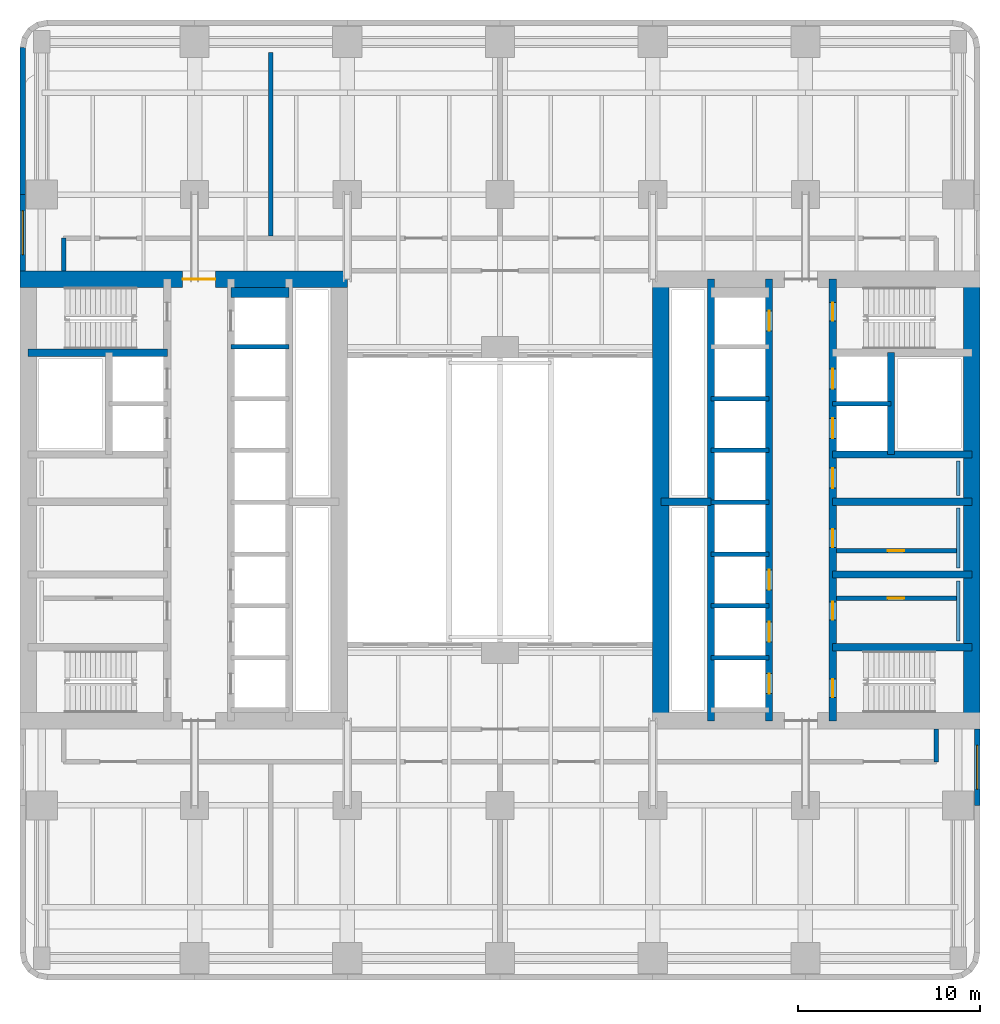
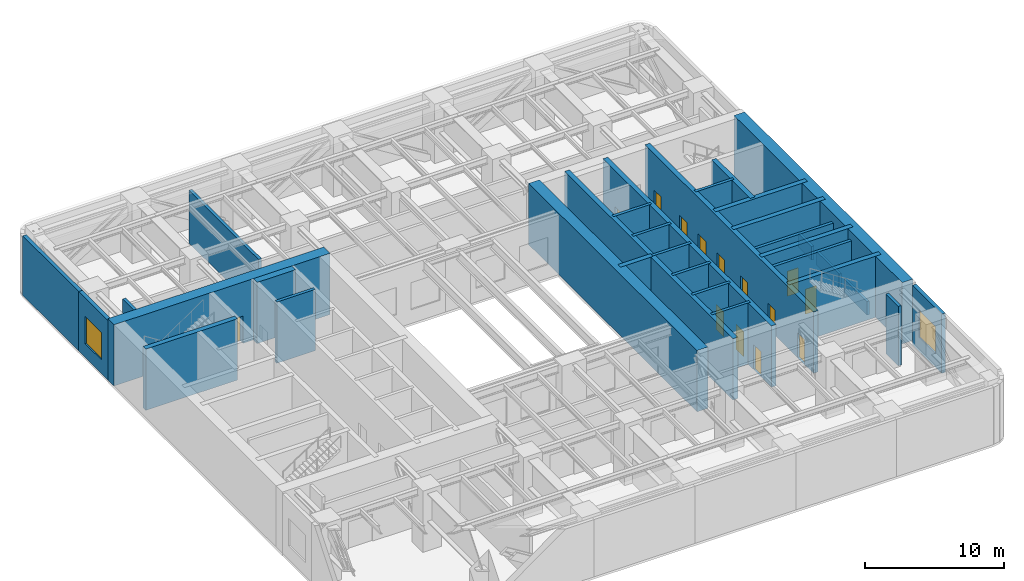
# One storey, part 5 of 11: 33 walls, 14 doors, 2 windows, 16 openings.
"""IFC4 building model written with IfcOpenShell, lengths in metres."""

from ifc_helpers import new_model, si_unit, direction, frame, frame_2d, origin, place, context, subcontext, project, spatial, rectangle, extrude, material, layer, layer_set, type_object, element, fill, save


model = new_model("IFC4")

# Units and contexts
model_context = context("Model", 3, precision=1e-05, world=origin(), true_north=direction((0.0, 1.0)))
body_context = subcontext(model_context, "Body", "Model", "MODEL_VIEW")
ifc_project = project(units=[si_unit("LENGTHUNIT", "METRE"), si_unit("AREAUNIT", "SQUARE_METRE"), si_unit("VOLUMEUNIT", "CUBIC_METRE"), si_unit("PLANEANGLEUNIT", "RADIAN"), si_unit("MASSUNIT", "GRAM", prefix="KILO")], contexts=[model_context])

# Site, building, storey
site_placement = place(None, origin())
site = spatial("IfcSite", under=ifc_project, at=site_placement, CompositionType="ELEMENT")
building_placement = place(site_placement, origin())
building = spatial("IfcBuilding", under=site, at=building_placement, Name="Claustro Exchange Tower", CompositionType="ELEMENT")
storey_placement = place(building_placement, frame((0.0, 0.0, 90.89990234375)))
storey = spatial("IfcBuildingStorey", under=building, at=storey_placement, Name="L20", CompositionType="ELEMENT", Elevation=90.89990234375)

# Walls
ifc_material_1 = material(Name="Concrete blockwork, rendered", Category="masonry")
ifc_layer_1 = layer(ifc_material_1, 0.25)
ifc_layer_set_1 = layer_set([ifc_layer_1], Name="Concrete blockwork, rendered")
wall_type_1 = type_object("IfcWallType", Name="P4 250 blockwork wall", PredefinedType="PARTITIONING", material=ifc_layer_set_1)
wall_1_placement = place(storey_placement, frame((49.199951171875, 10.800048828125, 0.0), z_axis=(0.0, 0.0, 1.0), x_axis=(0.0, 1.0, 0.0)))
element("IfcWall", 1, at=wall_1_placement, inside=storey, type_object=wall_type_1, Name="Partition P4 L20", PredefinedType="PARTITIONING", context=body_context, shape_type="SweptSolid", body=[
    extrude(rectangle(XDim=1.802001953125, YDim=0.25, at=frame_2d((0.90087890625, 0.0))), origin(), (0.0, 0.0, 1.0), 5.239990234375),
])
wall_2_placement = place(storey_placement, frame((1.199951171875, 37.800048828125, 0.0), z_axis=(0.0, 0.0, 1.0), x_axis=(0.0, 1.0, 0.0)))
element("IfcWall", 2, at=wall_2_placement, inside=storey, type_object=wall_type_1, Name="Partition P4 L20", PredefinedType="PARTITIONING", context=body_context, shape_type="SweptSolid", body=[
    extrude(rectangle(XDim=1.800048828125, YDim=0.25, at=frame_2d((0.89990234375, 0.0))), origin(), (0.0, 0.0, 1.0), 5.239990234375),
])
wall_3_placement = place(storey_placement, frame((12.60009765625, 39.72412109375, 0.0), z_axis=(0.0, 0.0, 1.0), x_axis=(0.0, 1.0, 0.0)))
element("IfcWall", 3, at=wall_3_placement, inside=storey, type_object=wall_type_1, Name="Partition P4 L20", PredefinedType="PARTITIONING", context=body_context, shape_type="SweptSolid", body=[
    extrude(rectangle(XDim=10.075927734375, YDim=0.25, at=frame_2d((5.0380859375, 0.0))), origin(), (0.0, 0.0, 1.0), 4.64013671875),
])

# Wall, opening, door
wall_4_placement = place(storey_placement, frame((43.699951171875, 22.39990234375, 0.0), z_axis=(0.0, 0.0, 1.0), x_axis=(1.0, 0.0, 0.0)))
wall_4 = element("IfcWall", 4, at=wall_4_placement, inside=storey, type_object=wall_type_1, Name="Partition P4 L20", PredefinedType="PARTITIONING", context=body_context, shape_type="SweptSolid", body=[
    extrude(rectangle(XDim=6.60009765625, YDim=0.25, at=frame_2d((3.300048828125, 0.0))), origin(), (0.0, 0.0, 1.0), 5.2001953125),
])
opening_1_placement = place(wall_4_placement, frame((2.824951171875, 0.0, 0.0)))
opening_1 = element("IfcOpeningElement", 5, at=opening_1_placement, cuts=wall_4, Name="Opening D5", PredefinedType="OPENING", context=body_context, shape_type="SweptSolid", body=[
    extrude(rectangle(XDim=0.89990234375, YDim=2.199951171875, at=frame_2d((0.449951171875, 1.10009765625))), frame((0.0, 0.135009765625, 0.0), z_axis=(0.0, -1.0, 0.0), x_axis=(1.0, 0.0, 0.0)), (0.0, 0.0, 1.0), 0.27001953125),
])
ifc_material_2 = material(Name="Steel door, painted", Category="steel")
door_type_1 = type_object("IfcDoorType", Name="D5 900 x 2200 store door", OperationType="SINGLE_SWING_LEFT", PredefinedType="DOOR", material=ifc_material_2)
door_1_placement = place(opening_1_placement, frame((0.89990234375, 0.0, 0.0), z_axis=(0.0, 0.0, 1.0), x_axis=(-1.0, 0.0, 0.0)))
door_1 = element("IfcDoor", 6, at=door_1_placement, inside=storey, type_object=door_type_1, Name="Store door D5 L20", OperationType="SINGLE_SWING_LEFT", OverallHeight=2.199951171875, OverallWidth=0.89990234375, PredefinedType="DOOR", context=body_context, shape_type="SweptSolid", body=[
    extrude(rectangle(XDim=0.89990234375, YDim=2.199951171875, at=frame_2d((0.449951171875, 1.10009765625))), frame((0.0, 0.02490234375, 0.0), z_axis=(0.0, -1.0, 0.0), x_axis=(1.0, 0.0, 0.0)), (0.0, 0.0, 1.0), 0.050048828125),
])
fill(opening_1, door_1)

wall_5_placement = place(storey_placement, frame((43.699951171875, 19.800048828125, 0.0), z_axis=(0.0, 0.0, 1.0), x_axis=(1.0, 0.0, 0.0)))
wall_5 = element("IfcWall", 7, at=wall_5_placement, inside=storey, type_object=wall_type_1, Name="Partition P4 L20", PredefinedType="PARTITIONING", context=body_context, shape_type="SweptSolid", body=[
    extrude(rectangle(XDim=6.60009765625, YDim=0.25, at=frame_2d((3.300048828125, 0.0))), origin(), (0.0, 0.0, 1.0), 5.2001953125),
])
opening_2_placement = place(wall_5_placement, frame((2.824951171875, 0.0, 0.0)))
opening_2 = element("IfcOpeningElement", 8, at=opening_2_placement, cuts=wall_5, Name="Opening D5", PredefinedType="OPENING", context=body_context, shape_type="SweptSolid", body=[
    extrude(rectangle(XDim=0.89990234375, YDim=2.199951171875, at=frame_2d((0.449951171875, 1.10009765625))), frame((0.0, 0.135009765625, 0.0), z_axis=(0.0, -1.0, 0.0), x_axis=(1.0, 0.0, 0.0)), (0.0, 0.0, 1.0), 0.27001953125),
])
door_2_placement = place(opening_2_placement, origin())
door_2 = element("IfcDoor", 9, at=door_2_placement, inside=storey, type_object=door_type_1, Name="Store door D5 L20", OperationType="SINGLE_SWING_RIGHT", OverallHeight=2.199951171875, OverallWidth=0.89990234375, PredefinedType="DOOR", context=body_context, shape_type="SweptSolid", body=[
    extrude(rectangle(XDim=0.89990234375, YDim=2.199951171875, at=frame_2d((0.449951171875, 1.10009765625))), frame((0.0, 0.02490234375, 0.0), z_axis=(0.0, -1.0, 0.0), x_axis=(1.0, 0.0, 0.0)), (0.0, 0.0, 1.0), 0.050048828125),
])
fill(opening_2, door_2)

# Wall, opening, window
ifc_material_3 = material(Name="Concrete HA-40 (C40/50), precast, white cement, acid-etched", Category="concrete")
ifc_layer_2 = layer(ifc_material_3, 0.300048828125)
ifc_layer_set_2 = layer_set([ifc_layer_2], Name="Concrete HA-40 (C40/50), precast, white cement, acid-etched")
wall_type_2 = type_object("IfcWallType", Name="PC1 300 precast concrete pier panel", PredefinedType="SOLIDWALL", material=ifc_layer_set_2)
wall_6_placement = place(storey_placement, frame((-1.050048828125, 37.800048828125, 0.0), z_axis=(0.0, 0.0, 1.0), x_axis=(0.0, 1.0, 0.0)))
wall_6 = element("IfcWall", 10, at=wall_6_placement, inside=storey, type_object=wall_type_2, Name="Precast pier panel PC1 L20", PredefinedType="SOLIDWALL", context=body_context, shape_type="SweptSolid", body=[
    extrude(rectangle(XDim=4.199951171875, YDim=0.300048828125, at=frame_2d((2.10009765625, 0.0))), origin(), (0.0, 0.0, 1.0), 5.239990234375),
])
opening_3_placement = place(wall_6_placement, frame((0.89990234375, 0.0, 1.199951171875)))
opening_3 = element("IfcOpeningElement", 11, at=opening_3_placement, cuts=wall_6, Name="Opening L2", PredefinedType="OPENING", context=body_context, shape_type="SweptSolid", body=[
    extrude(rectangle(XDim=2.39990234375, YDim=2.39990234375, at=frame_2d((1.199951171875, 1.199951171875))), frame((0.0, 0.159912109375, 0.0), z_axis=(0.0, -1.0, 0.0), x_axis=(1.0, 0.0, 0.0)), (0.0, 0.0, 1.0), 0.320068359375),
])
ifc_material_4 = material(Name="Aluminium louvre blades", Category="aluminium")
window_type = type_object("IfcWindowType", Name="L2 2400 x 2400 plant louvre", PartitioningType="SINGLE_PANEL", PredefinedType="USERDEFINED", material=ifc_material_4)
window_1_placement = place(opening_3_placement, origin())
window_1 = element("IfcWindow", 12, at=window_1_placement, inside=storey, type_object=window_type, Name="Plant louvre L2 L20", ObjectType="LOUVRE", OverallHeight=2.39990234375, OverallWidth=2.39990234375, PartitioningType="SINGLE_PANEL", PredefinedType="USERDEFINED", context=body_context, shape_type="SweptSolid", body=[
    extrude(rectangle(XDim=2.39990234375, YDim=2.39990234375, at=frame_2d((1.199951171875, 1.199951171875))), frame((0.0, 0.030029296875, 0.0), z_axis=(0.0, -1.0, 0.0), x_axis=(1.0, 0.0, 0.0)), (0.0, 0.0, 1.0), 0.06005859375),
])
fill(opening_3, window_1)

# Wall
wall_7_placement = place(storey_placement, frame((-1.050048828125, 42.0, 0.0), z_axis=(0.0, 0.0, 1.0), x_axis=(0.0, 1.0, 0.0)))
element("IfcWall", 13, at=wall_7_placement, inside=storey, type_object=wall_type_2, Name="Precast pier panel PC1 L20", PredefinedType="SOLIDWALL", context=body_context, shape_type="SweptSolid", body=[
    extrude(rectangle(XDim=8.085205078125, YDim=0.300048828125, at=frame_2d((4.04248046875, 0.0))), origin(), (0.0, 0.0, 1.0), 5.239990234375),
])

# Wall, opening, window
wall_8_placement = place(storey_placement, frame((51.449951171875, 12.60009765625, 0.0), z_axis=(0.0, 0.0, 1.0), x_axis=(0.0, -1.0, 0.0)))
wall_8 = element("IfcWall", 14, at=wall_8_placement, inside=storey, type_object=wall_type_2, Name="Precast pier panel PC1 L20", PredefinedType="SOLIDWALL", context=body_context, shape_type="SweptSolid", body=[
    extrude(rectangle(XDim=4.2001953125, YDim=0.300048828125, at=frame_2d((2.10009765625, 0.0))), origin(), (0.0, 0.0, 1.0), 5.239990234375),
])
opening_4_placement = place(wall_8_placement, frame((0.89990234375, 0.0, 1.199951171875)))
opening_4 = element("IfcOpeningElement", 15, at=opening_4_placement, cuts=wall_8, Name="Opening L2", PredefinedType="OPENING", context=body_context, shape_type="SweptSolid", body=[
    extrude(rectangle(XDim=2.39990234375, YDim=2.39990234375, at=frame_2d((1.199951171875, 1.199951171875))), frame((0.0, 0.159912109375, 0.0), z_axis=(0.0, -1.0, 0.0), x_axis=(1.0, 0.0, 0.0)), (0.0, 0.0, 1.0), 0.320068359375),
])
window_2_placement = place(opening_4_placement, origin())
window_2 = element("IfcWindow", 16, at=window_2_placement, inside=storey, type_object=window_type, Name="Plant louvre L2 L20", ObjectType="LOUVRE", OverallHeight=2.39990234375, OverallWidth=2.39990234375, PartitioningType="SINGLE_PANEL", PredefinedType="USERDEFINED", context=body_context, shape_type="SweptSolid", body=[
    extrude(rectangle(XDim=2.39990234375, YDim=2.39990234375, at=frame_2d((1.199951171875, 1.199951171875))), frame((0.0, 0.030029296875, 0.0), z_axis=(0.0, -1.0, 0.0), x_axis=(1.0, 0.0, 0.0)), (0.0, 0.0, 1.0), 0.06005859375),
])
fill(opening_4, window_2)

# Walls
ifc_material_5 = material(Name="Gypsum board on steel studs, tiled", Category="steel")
ifc_layer_3 = layer(ifc_material_5, 0.199951171875)
ifc_layer_set_3 = layer_set([ifc_layer_3], Name="Gypsum board on steel studs, tiled")
wall_type_3 = type_object("IfcWallType", Name="PW1 200 WC duct wall", PredefinedType="PLUMBINGWALL", material=ifc_layer_set_3)
for number, where, z_axis, x_axis, name in (
    (17, (50.39990234375, 17.449951171875, 0.0), (0.0, 0.0, 1.0), (0.0, 1.0, 0.0), "WC duct wall PW1 L20"),
    (18, (50.39990234375, 21.449951171875, 0.0), (0.0, 0.0, 1.0), (0.0, 1.0, 0.0), "WC duct wall PW1 L20"),
):
    element("IfcWall", number, at=place(storey_placement, frame(where, z_axis=z_axis, x_axis=x_axis)), inside=storey, type_object=wall_type_3, Name=name, PredefinedType="PLUMBINGWALL", context=body_context, shape_type="SweptSolid", body=[
        extrude(rectangle(XDim=3.300048828125, YDim=0.199951171875, at=frame_2d((1.64990234375, 0.0))), origin(), (0.0, 0.0, 1.0), 1.2001953125),
    ])
wall_9_placement = place(storey_placement, frame((50.39990234375, 25.449951171875, 0.0), z_axis=(0.0, 0.0, 1.0), x_axis=(0.0, 1.0, 0.0)))
element("IfcWall", 19, at=wall_9_placement, inside=storey, type_object=wall_type_3, Name="WC duct wall PW1 L20", PredefinedType="PLUMBINGWALL", context=body_context, shape_type="SweptSolid", body=[
    extrude(rectangle(XDim=1.900146484375, YDim=0.199951171875, at=frame_2d((0.9501953125, 0.0))), origin(), (0.0, 0.0, 1.0), 1.2001953125),
])

# Wall, opening, door
ifc_material_6 = material(Name="Concrete HA-70 (C70/85)", Category="concrete")
ifc_layer_4 = layer(ifc_material_6, 0.89990234375)
ifc_layer_set_4 = layer_set([ifc_layer_4], Name="Concrete HA-70 (C70/85)")
wall_type_4 = type_object("IfcWallType", Name="SW1 900 core shear wall", PredefinedType="SHEAR", material=ifc_layer_set_4)
wall_10_placement = place(storey_placement, frame((-1.199951171875, 37.35009765625, 0.0), z_axis=(0.0, 0.0, 1.0), x_axis=(1.0, 0.0, 0.0)))
wall_10 = element("IfcWall", 20, at=wall_10_placement, inside=storey, type_object=wall_type_4, Name="Core wall SW1 W core N face L20", PredefinedType="SHEAR", context=body_context, shape_type="SweptSolid", body=[
    extrude(rectangle(XDim=18.0, YDim=0.89990234375, at=frame_2d((9.0, 0.0))), origin(), (0.0, 0.0, 1.0), 5.400146484375),
])
opening_5_placement = place(wall_10_placement, frame((8.949951171875, 0.0, 0.0)))
opening_5 = element("IfcOpeningElement", 21, at=opening_5_placement, cuts=wall_10, Name="Opening D3", PredefinedType="OPENING", context=body_context, shape_type="SweptSolid", body=[
    extrude(rectangle(XDim=1.800048828125, YDim=2.39990234375, at=frame_2d((0.89990234375, 1.199951171875))), frame((0.0, 0.4599609375, 0.0), z_axis=(0.0, -1.0, 0.0), x_axis=(1.0, 0.0, 0.0)), (0.0, 0.0, 1.0), 0.919921875),
])
ifc_material_7 = material(Name="Steel fire door, painted", Category="steel")
door_type_2 = type_object("IfcDoorType", Name="D3 1800 x 2400 fire-rated lobby double door", OperationType="DOUBLE_DOOR_SINGLE_SWING", PredefinedType="DOOR", material=ifc_material_7)
door_3_placement = place(opening_5_placement, frame((1.800048828125, 0.0, 0.0), z_axis=(0.0, 0.0, 1.0), x_axis=(-1.0, 0.0, 0.0)))
door_3 = element("IfcDoor", 22, at=door_3_placement, inside=storey, type_object=door_type_2, Name="Lift lobby door D3 L20", OperationType="DOUBLE_DOOR_SINGLE_SWING", OverallHeight=2.39990234375, OverallWidth=1.800048828125, PredefinedType="DOOR", context=body_context, shape_type="SweptSolid", body=[
    extrude(rectangle(XDim=1.800048828125, YDim=2.39990234375, at=frame_2d((0.89990234375, 1.199951171875))), frame((0.0, 0.02490234375, 0.0), z_axis=(0.0, -1.0, 0.0), x_axis=(1.0, 0.0, 0.0)), (0.0, 0.0, 1.0), 0.050048828125),
])
fill(opening_5, door_3)

# Walls
ifc_material_8 = material(Name="Concrete HA-70 (C70/85)", Category="concrete")
ifc_layer_5 = layer(ifc_material_8, 0.89990234375)
ifc_layer_set_5 = layer_set([ifc_layer_5], Name="Concrete HA-70 (C70/85)")
wall_type_5 = type_object("IfcWallType", Name="SW1X 900 exposed core shear wall, board-marked face", PredefinedType="SHEAR", material=ifc_layer_set_5)
for number, where, z_axis, x_axis, name in (
    (23, (34.050048828125, 13.050048828125, 0.0), (0.0, 0.0, 1.0), (0.0, 1.0, 0.0), "Core wall SW1X E core W face L20"),
    (24, (51.14990234375, 13.050048828125, 0.0), (0.0, 0.0, 1.0), (0.0, 1.0, 0.0), "Core wall SW1X E core E face L20"),
):
    element("IfcWall", number, at=place(storey_placement, frame(where, z_axis=z_axis, x_axis=x_axis)), inside=storey, type_object=wall_type_5, Name=name, PredefinedType="SHEAR", context=body_context, shape_type="SweptSolid", body=[
        extrude(rectangle(XDim=24.300048828125, YDim=0.89990234375, at=frame_2d((12.14990234375, 0.0))), origin(), (0.0, 0.0, 1.0), 5.400146484375),
    ])
ifc_material_9 = material(Name="Concrete HA-50 (C50/60)", Category="concrete")
ifc_layer_6 = layer(ifc_material_9, 0.39990234375)
ifc_layer_set_6 = layer_set([ifc_layer_6], Name="Concrete HA-50 (C50/60)")
wall_type_6 = type_object("IfcWallType", Name="SW4 400 internal core wall", PredefinedType="SHEAR", material=ifc_layer_set_6)
wall_11_placement = place(storey_placement, frame((-0.75, 33.300048828125, 0.0), z_axis=(0.0, 0.0, 1.0), x_axis=(1.0, 0.0, 0.0)))
element("IfcWall", 25, at=wall_11_placement, inside=storey, type_object=wall_type_6, Name="Internal core wall SW4 W core L20", PredefinedType="SHEAR", context=body_context, shape_type="SweptSolid", body=[
    extrude(rectangle(XDim=7.64990234375, YDim=0.39990234375, at=frame_2d((3.824951171875, 0.0))), origin(), (0.0, 0.0, 1.0), 5.400146484375),
])

# Wall, openings, doors
wall_12_placement = place(storey_placement, frame((43.5, 13.050048828125, 0.0), z_axis=(0.0, 0.0, 1.0), x_axis=(0.0, 1.0, 0.0)))
wall_12 = element("IfcWall", 26, at=wall_12_placement, inside=storey, type_object=wall_type_6, Name="Internal core wall SW4 E core L20", PredefinedType="SHEAR", context=body_context, shape_type="SweptSolid", body=[
    extrude(rectangle(XDim=24.300048828125, YDim=0.39990234375, at=frame_2d((12.14990234375, 0.0))), origin(), (0.0, 0.0, 1.0), 5.400146484375),
])
opening_6_placement = place(wall_12_placement, frame((1.300048828125, 0.0, 0.0)))
opening_6 = element("IfcOpeningElement", 27, at=opening_6_placement, cuts=wall_12, Name="Opening D4", PredefinedType="OPENING", context=body_context, shape_type="SweptSolid", body=[
    extrude(rectangle(XDim=1.0, YDim=2.199951171875, at=frame_2d((0.5, 1.10009765625))), frame((0.0, 0.2099609375, 0.0), z_axis=(0.0, -1.0, 0.0), x_axis=(1.0, 0.0, 0.0)), (0.0, 0.0, 1.0), 0.419921875),
])
opening_7_placement = place(wall_12_placement, frame((22.0, 0.0, 0.0)))
opening_7 = element("IfcOpeningElement", 28, at=opening_7_placement, cuts=wall_12, Name="Opening D4", PredefinedType="OPENING", context=body_context, shape_type="SweptSolid", body=[
    extrude(rectangle(XDim=1.0, YDim=2.199951171875, at=frame_2d((0.5, 1.10009765625))), frame((0.0, 0.2099609375, 0.0), z_axis=(0.0, -1.0, 0.0), x_axis=(1.0, 0.0, 0.0)), (0.0, 0.0, 1.0), 0.419921875),
])
opening_8_placement = place(wall_12_placement, frame((5.550048828125, 0.0, 0.0)))
opening_8 = element("IfcOpeningElement", 29, at=opening_8_placement, cuts=wall_12, Name="Opening D1", PredefinedType="OPENING", context=body_context, shape_type="SweptSolid", body=[
    extrude(rectangle(XDim=1.0, YDim=2.199951171875, at=frame_2d((0.5, 1.10009765625))), frame((0.0, 0.2099609375, 0.0), z_axis=(0.0, -1.0, 0.0), x_axis=(1.0, 0.0, 0.0)), (0.0, 0.0, 1.0), 0.419921875),
])
opening_9_placement = place(wall_12_placement, frame((9.550048828125, 0.0, 0.0)))
opening_9 = element("IfcOpeningElement", 30, at=opening_9_placement, cuts=wall_12, Name="Opening D1", PredefinedType="OPENING", context=body_context, shape_type="SweptSolid", body=[
    extrude(rectangle(XDim=1.0, YDim=2.199951171875, at=frame_2d((0.5, 1.10009765625))), frame((0.0, 0.2099609375, 0.0), z_axis=(0.0, -1.0, 0.0), x_axis=(1.0, 0.0, 0.0)), (0.0, 0.0, 1.0), 0.419921875),
])
opening_10_placement = place(wall_12_placement, frame((12.800048828125, 0.0, 0.0)))
opening_10 = element("IfcOpeningElement", 31, at=opening_10_placement, cuts=wall_12, Name="Opening D10", PredefinedType="OPENING", context=body_context, shape_type="SweptSolid", body=[
    extrude(rectangle(XDim=1.10009765625, YDim=2.199951171875, at=frame_2d((0.550048828125, 1.10009765625))), frame((0.0, 0.2099609375, 0.0), z_axis=(0.0, -1.0, 0.0), x_axis=(1.0, 0.0, 0.0)), (0.0, 0.0, 1.0), 0.419921875),
])
opening_11_placement = place(wall_12_placement, frame((15.53759765625, 0.0, 0.0)))
opening_11 = element("IfcOpeningElement", 32, at=opening_11_placement, cuts=wall_12, Name="Opening LD", PredefinedType="OPENING", context=body_context, shape_type="SweptSolid", body=[
    extrude(rectangle(XDim=1.10009765625, YDim=2.199951171875, at=frame_2d((0.550048828125, 1.10009765625))), frame((0.0, 0.2099609375, 0.0), z_axis=(0.0, -1.0, 0.0), x_axis=(1.0, 0.0, 0.0)), (0.0, 0.0, 1.0), 0.419921875),
])
opening_12_placement = place(wall_12_placement, frame((18.262451171875, 0.0, 0.0)))
opening_12 = element("IfcOpeningElement", 33, at=opening_12_placement, cuts=wall_12, Name="Opening LD", PredefinedType="OPENING", context=body_context, shape_type="SweptSolid", body=[
    extrude(rectangle(XDim=1.10009765625, YDim=2.199951171875, at=frame_2d((0.550048828125, 1.10009765625))), frame((0.0, 0.2099609375, 0.0), z_axis=(0.0, -1.0, 0.0), x_axis=(1.0, 0.0, 0.0)), (0.0, 0.0, 1.0), 0.419921875),
])
ifc_material_10 = material(Name="Timber door, oak veneer", Category="wood")
door_type_3 = type_object("IfcDoorType", Name="D1 1000 x 2200 single door", OperationType="SINGLE_SWING_LEFT", PredefinedType="DOOR", material=ifc_material_10)
door_4_placement = place(opening_8_placement, frame((1.0, 0.0, 0.0), z_axis=(0.0, 0.0, 1.0), x_axis=(-1.0, 0.0, 0.0)))
door_4 = element("IfcDoor", 34, at=door_4_placement, inside=storey, type_object=door_type_3, Name="Door D1 L20", OperationType="SINGLE_SWING_LEFT", OverallHeight=2.199951171875, OverallWidth=1.0, PredefinedType="DOOR", context=body_context, shape_type="SweptSolid", body=[
    extrude(rectangle(XDim=1.0, YDim=2.199951171875, at=frame_2d((0.5, 1.10009765625))), frame((0.0, 0.02490234375, 0.0), z_axis=(0.0, -1.0, 0.0), x_axis=(1.0, 0.0, 0.0)), (0.0, 0.0, 1.0), 0.050048828125),
])
fill(opening_8, door_4)
door_5_placement = place(opening_9_placement, frame((1.0, 0.0, 0.0), z_axis=(0.0, 0.0, 1.0), x_axis=(-1.0, 0.0, 0.0)))
door_5 = element("IfcDoor", 35, at=door_5_placement, inside=storey, type_object=door_type_3, Name="Door D1 L20", OperationType="SINGLE_SWING_RIGHT", OverallHeight=2.199951171875, OverallWidth=1.0, PredefinedType="DOOR", context=body_context, shape_type="SweptSolid", body=[
    extrude(rectangle(XDim=1.0, YDim=2.199951171875, at=frame_2d((0.5, 1.10009765625))), frame((0.0, 0.02490234375, 0.0), z_axis=(0.0, -1.0, 0.0), x_axis=(1.0, 0.0, 0.0)), (0.0, 0.0, 1.0), 0.050048828125),
])
fill(opening_9, door_5)
ifc_material_11 = material(Name="Timber door, oak veneer", Category="wood")
door_type_4 = type_object("IfcDoorType", Name="D10 1100 x 2200 accessible WC door", OperationType="SINGLE_SWING_LEFT", PredefinedType="DOOR", material=ifc_material_11)
door_6_placement = place(opening_10_placement, origin())
door_6 = element("IfcDoor", 36, at=door_6_placement, inside=storey, type_object=door_type_4, Name="Accessible WC door D10 L20", OperationType="SINGLE_SWING_RIGHT", OverallHeight=2.199951171875, OverallWidth=1.10009765625, PredefinedType="DOOR", context=body_context, shape_type="SweptSolid", body=[
    extrude(rectangle(XDim=1.10009765625, YDim=2.199951171875, at=frame_2d((0.550048828125, 1.10009765625))), frame((0.0, 0.02490234375, 0.0), z_axis=(0.0, -1.0, 0.0), x_axis=(1.0, 0.0, 0.0)), (0.0, 0.0, 1.0), 0.050048828125),
])
fill(opening_10, door_6)
ifc_material_12 = material(Name="Steel fire door, painted", Category="steel")
door_type_5 = type_object("IfcDoorType", Name="D4 1000 x 2200 fire-rated stair door", OperationType="SINGLE_SWING_LEFT", PredefinedType="DOOR", material=ifc_material_12)
door_7_placement = place(opening_6_placement, frame((1.0, 0.0, 0.0), z_axis=(0.0, 0.0, 1.0), x_axis=(-1.0, 0.0, 0.0)))
door_7 = element("IfcDoor", 37, at=door_7_placement, inside=storey, type_object=door_type_5, Name="Stair door D4 L20", OperationType="SINGLE_SWING_RIGHT", OverallHeight=2.199951171875, OverallWidth=1.0, PredefinedType="DOOR", context=body_context, shape_type="SweptSolid", body=[
    extrude(rectangle(XDim=1.0, YDim=2.199951171875, at=frame_2d((0.5, 1.10009765625))), frame((0.0, 0.02490234375, 0.0), z_axis=(0.0, -1.0, 0.0), x_axis=(1.0, 0.0, 0.0)), (0.0, 0.0, 1.0), 0.050048828125),
])
fill(opening_6, door_7)
door_8_placement = place(opening_7_placement, frame((1.0, 0.0, 0.0), z_axis=(0.0, 0.0, 1.0), x_axis=(-1.0, 0.0, 0.0)))
door_8 = element("IfcDoor", 38, at=door_8_placement, inside=storey, type_object=door_type_5, Name="Stair door D4 L20", OperationType="SINGLE_SWING_LEFT", OverallHeight=2.199951171875, OverallWidth=1.0, PredefinedType="DOOR", context=body_context, shape_type="SweptSolid", body=[
    extrude(rectangle(XDim=1.0, YDim=2.199951171875, at=frame_2d((0.5, 1.10009765625))), frame((0.0, 0.02490234375, 0.0), z_axis=(0.0, -1.0, 0.0), x_axis=(1.0, 0.0, 0.0)), (0.0, 0.0, 1.0), 0.050048828125),
])
fill(opening_7, door_8)
ifc_material_13 = material(Name="Stainless steel sliding door", Category="steel")
door_type_6 = type_object("IfcDoorType", Name="LD 1100 x 2200 lift landing door", OperationType="DOUBLE_DOOR_SLIDING", PredefinedType="DOOR", material=ifc_material_13)
door_9_placement = place(opening_11_placement, origin())
door_9 = element("IfcDoor", 39, at=door_9_placement, inside=storey, type_object=door_type_6, Name="Lift landing door LEE1 LD L20", OperationType="DOUBLE_DOOR_SLIDING", OverallHeight=2.199951171875, OverallWidth=1.10009765625, PredefinedType="DOOR", context=body_context, shape_type="SweptSolid", body=[
    extrude(rectangle(XDim=1.10009765625, YDim=2.199951171875, at=frame_2d((0.550048828125, 1.10009765625))), frame((0.0, 0.02490234375, 0.0), z_axis=(0.0, -1.0, 0.0), x_axis=(1.0, 0.0, 0.0)), (0.0, 0.0, 1.0), 0.050048828125),
])
fill(opening_11, door_9)
door_10_placement = place(opening_12_placement, origin())
door_10 = element("IfcDoor", 40, at=door_10_placement, inside=storey, type_object=door_type_6, Name="Lift landing door LEE2 LD L20", OperationType="DOUBLE_DOOR_SLIDING", OverallHeight=2.199951171875, OverallWidth=1.10009765625, PredefinedType="DOOR", context=body_context, shape_type="SweptSolid", body=[
    extrude(rectangle(XDim=1.10009765625, YDim=2.199951171875, at=frame_2d((0.550048828125, 1.10009765625))), frame((0.0, 0.02490234375, 0.0), z_axis=(0.0, -1.0, 0.0), x_axis=(1.0, 0.0, 0.0)), (0.0, 0.0, 1.0), 0.050048828125),
])
fill(opening_12, door_10)

wall_13_placement = place(storey_placement, frame((40.0, 13.050048828125, 0.0), z_axis=(0.0, 0.0, 1.0), x_axis=(0.0, 1.0, 0.0)))
wall_13 = element("IfcWall", 41, at=wall_13_placement, inside=storey, type_object=wall_type_6, Name="Internal core wall SW4 E core L20", PredefinedType="SHEAR", context=body_context, shape_type="SweptSolid", body=[
    extrude(rectangle(XDim=24.300048828125, YDim=0.39990234375, at=frame_2d((12.14990234375, 0.0))), origin(), (0.0, 0.0, 1.0), 5.400146484375),
])
opening_13_placement = place(wall_13_placement, frame((1.5, 0.0, 0.0)))
opening_13 = element("IfcOpeningElement", 42, at=opening_13_placement, cuts=wall_13, Name="Opening LD", PredefinedType="OPENING", context=body_context, shape_type="SweptSolid", body=[
    extrude(rectangle(XDim=1.10009765625, YDim=2.199951171875, at=frame_2d((0.550048828125, 1.10009765625))), frame((0.0, 0.2099609375, 0.0), z_axis=(0.0, -1.0, 0.0), x_axis=(1.0, 0.0, 0.0)), (0.0, 0.0, 1.0), 0.419921875),
])
opening_14_placement = place(wall_13_placement, frame((4.35009765625, 0.0, 0.0)))
opening_14 = element("IfcOpeningElement", 43, at=opening_14_placement, cuts=wall_13, Name="Opening LD", PredefinedType="OPENING", context=body_context, shape_type="SweptSolid", body=[
    extrude(rectangle(XDim=1.10009765625, YDim=2.199951171875, at=frame_2d((0.550048828125, 1.10009765625))), frame((0.0, 0.2099609375, 0.0), z_axis=(0.0, -1.0, 0.0), x_axis=(1.0, 0.0, 0.0)), (0.0, 0.0, 1.0), 0.419921875),
])
opening_15_placement = place(wall_13_placement, frame((7.199951171875, 0.0, 0.0)))
opening_15 = element("IfcOpeningElement", 44, at=opening_15_placement, cuts=wall_13, Name="Opening LD", PredefinedType="OPENING", context=body_context, shape_type="SweptSolid", body=[
    extrude(rectangle(XDim=1.10009765625, YDim=2.199951171875, at=frame_2d((0.550048828125, 1.10009765625))), frame((0.0, 0.2099609375, 0.0), z_axis=(0.0, -1.0, 0.0), x_axis=(1.0, 0.0, 0.0)), (0.0, 0.0, 1.0), 0.419921875),
])
opening_16_placement = place(wall_13_placement, frame((21.449951171875, 0.0, 0.0)))
opening_16 = element("IfcOpeningElement", 45, at=opening_16_placement, cuts=wall_13, Name="Opening LD", PredefinedType="OPENING", context=body_context, shape_type="SweptSolid", body=[
    extrude(rectangle(XDim=1.10009765625, YDim=2.199951171875, at=frame_2d((0.550048828125, 1.10009765625))), frame((0.0, 0.2099609375, 0.0), z_axis=(0.0, -1.0, 0.0), x_axis=(1.0, 0.0, 0.0)), (0.0, 0.0, 1.0), 0.419921875),
])
door_11_placement = place(opening_13_placement, origin())
door_11 = element("IfcDoor", 46, at=door_11_placement, inside=storey, type_object=door_type_6, Name="Lift landing door LLE1 LD L20", OperationType="DOUBLE_DOOR_SLIDING", OverallHeight=2.199951171875, OverallWidth=1.10009765625, PredefinedType="DOOR", context=body_context, shape_type="SweptSolid", body=[
    extrude(rectangle(XDim=1.10009765625, YDim=2.199951171875, at=frame_2d((0.550048828125, 1.10009765625))), frame((0.0, 0.02490234375, 0.0), z_axis=(0.0, -1.0, 0.0), x_axis=(1.0, 0.0, 0.0)), (0.0, 0.0, 1.0), 0.050048828125),
])
fill(opening_13, door_11)
door_12_placement = place(opening_14_placement, origin())
door_12 = element("IfcDoor", 47, at=door_12_placement, inside=storey, type_object=door_type_6, Name="Lift landing door LLE2 LD L20", OperationType="DOUBLE_DOOR_SLIDING", OverallHeight=2.199951171875, OverallWidth=1.10009765625, PredefinedType="DOOR", context=body_context, shape_type="SweptSolid", body=[
    extrude(rectangle(XDim=1.10009765625, YDim=2.199951171875, at=frame_2d((0.550048828125, 1.10009765625))), frame((0.0, 0.02490234375, 0.0), z_axis=(0.0, -1.0, 0.0), x_axis=(1.0, 0.0, 0.0)), (0.0, 0.0, 1.0), 0.050048828125),
])
fill(opening_14, door_12)
door_13_placement = place(opening_15_placement, origin())
door_13 = element("IfcDoor", 48, at=door_13_placement, inside=storey, type_object=door_type_6, Name="Lift landing door LLE3 LD L20", OperationType="DOUBLE_DOOR_SLIDING", OverallHeight=2.199951171875, OverallWidth=1.10009765625, PredefinedType="DOOR", context=body_context, shape_type="SweptSolid", body=[
    extrude(rectangle(XDim=1.10009765625, YDim=2.199951171875, at=frame_2d((0.550048828125, 1.10009765625))), frame((0.0, 0.02490234375, 0.0), z_axis=(0.0, -1.0, 0.0), x_axis=(1.0, 0.0, 0.0)), (0.0, 0.0, 1.0), 0.050048828125),
])
fill(opening_15, door_13)
door_14_placement = place(opening_16_placement, origin())
door_14 = element("IfcDoor", 49, at=door_14_placement, inside=storey, type_object=door_type_6, Name="Lift landing door LSE1 LD L20", OperationType="DOUBLE_DOOR_SLIDING", OverallHeight=2.199951171875, OverallWidth=1.10009765625, PredefinedType="DOOR", context=body_context, shape_type="SweptSolid", body=[
    extrude(rectangle(XDim=1.10009765625, YDim=2.199951171875, at=frame_2d((0.550048828125, 1.10009765625))), frame((0.0, 0.02490234375, 0.0), z_axis=(0.0, -1.0, 0.0), x_axis=(1.0, 0.0, 0.0)), (0.0, 0.0, 1.0), 0.050048828125),
])
fill(opening_16, door_14)

# Walls
wall_14_placement = place(storey_placement, frame((36.800048828125, 13.050048828125, 0.0), z_axis=(0.0, 0.0, 1.0), x_axis=(0.0, 1.0, 0.0)))
element("IfcWall", 50, at=wall_14_placement, inside=storey, type_object=wall_type_6, Name="Internal core wall SW4 E core L20", PredefinedType="SHEAR", context=body_context, shape_type="SweptSolid", body=[
    extrude(rectangle(XDim=24.300048828125, YDim=0.39990234375, at=frame_2d((12.14990234375, 0.0))), origin(), (0.0, 0.0, 1.0), 5.400146484375),
])
for number, where, z_axis, x_axis, name in (
    (51, (51.14990234375, 17.10009765625, 0.0), (0.0, 0.0, 1.0), (-1.0, 0.0, 0.0), "Internal core wall SW4 E core L20"),
    (52, (51.14990234375, 21.10009765625, 0.0), (0.0, 0.0, 1.0), (-1.0, 0.0, 0.0), "Internal core wall SW4 E core L20"),
    (53, (51.14990234375, 25.10009765625, 0.0), (0.0, 0.0, 1.0), (-1.0, 0.0, 0.0), "Internal core wall SW4 E core L20"),
    (54, (51.14990234375, 27.699951171875, 0.0), (0.0, 0.0, 1.0), (-1.0, 0.0, 0.0), "Internal core wall SW4 E core L20"),
):
    element("IfcWall", number, at=place(storey_placement, frame(where, z_axis=z_axis, x_axis=x_axis)), inside=storey, type_object=wall_type_6, Name=name, PredefinedType="SHEAR", context=body_context, shape_type="SweptSolid", body=[
        extrude(rectangle(XDim=7.64990234375, YDim=0.39990234375, at=frame_2d((3.824951171875, 0.0))), origin(), (0.0, 0.0, 1.0), 5.400146484375),
    ])
wall_15_placement = place(storey_placement, frame((46.699951171875, 27.699951171875, 0.0), z_axis=(0.0, 0.0, 1.0), x_axis=(0.0, 1.0, 0.0)))
element("IfcWall", 55, at=wall_15_placement, inside=storey, type_object=wall_type_6, Name="Internal core wall SW4 E core L20", PredefinedType="SHEAR", context=body_context, shape_type="SweptSolid", body=[
    extrude(rectangle(XDim=5.60009765625, YDim=0.39990234375, at=frame_2d((2.800048828125, 0.0))), origin(), (0.0, 0.0, 1.0), 5.400146484375),
])
wall_16_placement = place(storey_placement, frame((36.800048828125, 25.10009765625, 0.0), z_axis=(0.0, 0.0, 1.0), x_axis=(-1.0, 0.0, 0.0)))
element("IfcWall", 56, at=wall_16_placement, inside=storey, type_object=wall_type_6, Name="Internal core wall SW4 E core L20", PredefinedType="SHEAR", context=body_context, shape_type="SweptSolid", body=[
    extrude(rectangle(XDim=2.75, YDim=0.39990234375, at=frame_2d((1.375, 0.0))), origin(), (0.0, 0.0, 1.0), 5.400146484375),
])
ifc_material_14 = material(Name="Concrete HA-50 (C50/60)", Category="concrete")
ifc_layer_7 = layer(ifc_material_14, 0.25)
ifc_layer_set_7 = layer_set([ifc_layer_7], Name="Concrete HA-50 (C50/60)")
wall_type_7 = type_object("IfcWallType", Name="SW5 250 lift shaft divider wall", PredefinedType="SHEAR", material=ifc_layer_set_7)
wall_17_placement = place(storey_placement, frame((10.39990234375, 33.625, 0.0), z_axis=(0.0, 0.0, 1.0), x_axis=(1.0, 0.0, 0.0)))
element("IfcWall", 57, at=wall_17_placement, inside=storey, type_object=wall_type_7, Name="Lift shaft wall W core L20", PredefinedType="SHEAR", context=body_context, shape_type="SweptSolid", body=[
    extrude(rectangle(XDim=3.2001953125, YDim=0.25, at=frame_2d((1.60009765625, 0.0))), origin(), (0.0, 0.0, 1.0), 5.400146484375),
])
for number, where, z_axis, x_axis, name in (
    (58, (46.699951171875, 30.5, 0.0), (0.0, 0.0, 1.0), (-1.0, 0.0, 0.0), "Lift shaft wall E core L20"),
    (59, (40.0, 16.52490234375, 0.0), (0.0, 0.0, 1.0), (-1.0, 0.0, 0.0), "Lift shaft wall E core L20"),
    (60, (40.0, 19.375, 0.0), (0.0, 0.0, 1.0), (-1.0, 0.0, 0.0), "Lift shaft wall E core L20"),
    (61, (40.0, 22.22509765625, 0.0), (0.0, 0.0, 1.0), (-1.0, 0.0, 0.0), "Lift shaft wall E core L20"),
    (62, (40.0, 25.074951171875, 0.0), (0.0, 0.0, 1.0), (-1.0, 0.0, 0.0), "Lift shaft wall E core L20"),
    (63, (40.0, 27.925048828125, 0.0), (0.0, 0.0, 1.0), (-1.0, 0.0, 0.0), "Lift shaft wall E core L20"),
    (64, (40.0, 30.77490234375, 0.0), (0.0, 0.0, 1.0), (-1.0, 0.0, 0.0), "Lift shaft wall E core L20"),
):
    element("IfcWall", number, at=place(storey_placement, frame(where, z_axis=z_axis, x_axis=x_axis)), inside=storey, type_object=wall_type_7, Name=name, PredefinedType="SHEAR", context=body_context, shape_type="SweptSolid", body=[
        extrude(rectangle(XDim=3.199951171875, YDim=0.25, at=frame_2d((1.60009765625, 0.0))), origin(), (0.0, 0.0, 1.0), 5.400146484375),
    ])
ifc_material_15 = material(Name="Concrete HA-50 (C50/60)", Category="concrete")
ifc_layer_8 = layer(ifc_material_15, 0.550048828125)
ifc_layer_set_8 = layer_set([ifc_layer_8], Name="Concrete HA-50 (C50/60)")
wall_type_8 = type_object("IfcWallType", Name="SW6 550 lift shaft end wall", PredefinedType="SHEAR", material=ifc_layer_set_8)
wall_18_placement = place(storey_placement, frame((10.39990234375, 36.625, 0.0), z_axis=(0.0, 0.0, 1.0), x_axis=(1.0, 0.0, 0.0)))
element("IfcWall", 65, at=wall_18_placement, inside=storey, type_object=wall_type_8, Name="Lift shaft wall W core L20", PredefinedType="SHEAR", context=body_context, shape_type="SweptSolid", body=[
    extrude(rectangle(XDim=3.2001953125, YDim=0.550048828125, at=frame_2d((1.60009765625, 0.0))), origin(), (0.0, 0.0, 1.0), 5.400146484375),
])

save(model, "model.ifc")
